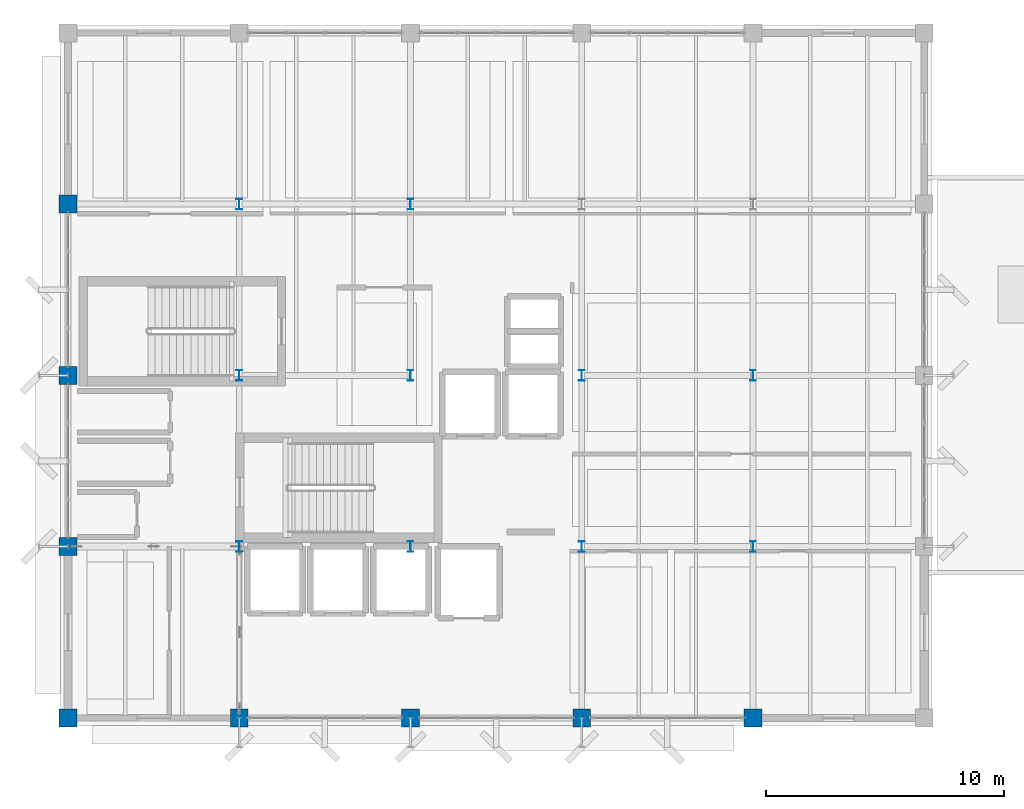
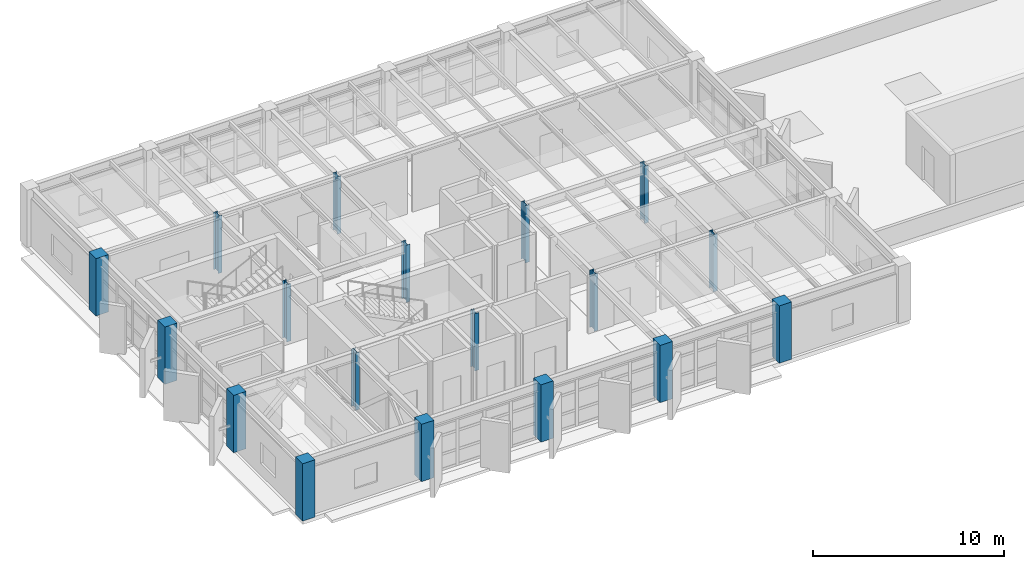
# One storey, part 1 of 32: 18 columns.
"""IFC4 building model written with IfcOpenShell, lengths in metres."""

from ifc_helpers import new_model, si_unit, direction, frame, origin, origin_2d, place, context, subcontext, project, spatial, rectangle, i_section, extrude, material, material_profile, profile_set, type_object, element, save


model = new_model("IFC4")

# Units and contexts
model_context = context("Model", 3, precision=1e-05, world=origin(), true_north=direction((0.0, 1.0)))
body_context = subcontext(model_context, "Body", "Model", "MODEL_VIEW")
ifc_project = project(units=[si_unit("LENGTHUNIT", "METRE"), si_unit("AREAUNIT", "SQUARE_METRE"), si_unit("VOLUMEUNIT", "CUBIC_METRE"), si_unit("PLANEANGLEUNIT", "RADIAN"), si_unit("MASSUNIT", "GRAM", prefix="KILO")], contexts=[model_context])

# Site, building, storey
site_placement = place(None, origin())
site = spatial("IfcSite", under=ifc_project, at=site_placement, CompositionType="ELEMENT")
building_placement = place(site_placement, origin())
building = spatial("IfcBuilding", under=site, at=building_placement, Name="Kandorven Conservatory and Botanical Research Centre", CompositionType="ELEMENT")
storey_placement = place(building_placement, frame((0.0, 0.0, 17.10009765625)))
storey = spatial("IfcBuildingStorey", under=building, at=storey_placement, Name="L04", CompositionType="ELEMENT", Elevation=17.10009765625)

# Columns
ifc_material_1 = material(Name="Steel S355 (IS 2062 E350)", Category="steel")
ifc_material_profile_1 = material_profile(ifc_material_1, i_section(OverallWidth=0.25, OverallDepth=0.449951171875, WebThickness=0.01123046875, FlangeThickness=0.013671875, at=origin_2d()))
ifc_profile_set_1 = profile_set([ifc_material_profile_1], Name="Steel S355 (IS 2062 E350)")
column_type_1 = type_object("IfcColumnType", Name="Col_SC-01", PredefinedType="COLUMN", material=ifc_profile_set_1)
for number, where, z_axis, x_axis, name in (
    (1, (13.199951171875, 13.199951171875, 0.0), (0.0, 0.0, 1.0), (1.0, 0.0, 0.0), "Column SC-01 TWR L04 (2,2)"),
    (2, (13.199951171875, 20.39990234375, 0.0), (0.0, 0.0, 1.0), (1.0, 0.0, 0.0), "Column SC-01 TWR L04 (2,3)"),
    (3, (13.199951171875, 27.60009765625, 0.0), (0.0, 0.0, 1.0), (1.0, 0.0, 0.0), "Column SC-01 TWR L04 (2,4)"),
    (4, (20.39990234375, 13.199951171875, 0.0), (0.0, 0.0, 1.0), (1.0, 0.0, 0.0), "Column SC-01 TWR L04 (3,2)"),
    (5, (20.39990234375, 20.39990234375, 0.0), (0.0, 0.0, 1.0), (1.0, 0.0, 0.0), "Column SC-01 TWR L04 (3,3)"),
    (6, (20.39990234375, 27.60009765625, 0.0), (0.0, 0.0, 1.0), (1.0, 0.0, 0.0), "Column SC-01 TWR L04 (3,4)"),
    (7, (27.60009765625, 13.199951171875, 0.0), (0.0, 0.0, 1.0), (1.0, 0.0, 0.0), "Column SC-01 TWR L04 (4,2)"),
    (8, (27.60009765625, 20.39990234375, 0.0), (0.0, 0.0, 1.0), (1.0, 0.0, 0.0), "Column SC-01 TWR L04 (4,3)"),
    (9, (34.800048828125, 13.199951171875, 0.0), (0.0, 0.0, 1.0), (1.0, 0.0, 0.0), "Column SC-01 TWR L04 (5,2)"),
    (10, (34.800048828125, 20.39990234375, 0.0), (0.0, 0.0, 1.0), (1.0, 0.0, 0.0), "Column SC-01 TWR L04 (5,3)"),
):
    element("IfcColumn", number, at=place(storey_placement, frame(where, z_axis=z_axis, x_axis=x_axis)), inside=storey, type_object=column_type_1, Name=name, PredefinedType="COLUMN", context=body_context, shape_type="SweptSolid", body=[
        extrude(i_section(OverallWidth=0.25, OverallDepth=0.449951171875, WebThickness=0.01123046875, FlangeThickness=0.013671875, at=origin_2d()), origin(), (0.0, 0.0, 1.0), 3.659912109375),
    ])
ifc_material_2 = material(Name="Concrete C40/50 (M50)", Category="concrete")
ifc_material_profile_2 = material_profile(ifc_material_2, rectangle(XDim=0.75, YDim=0.75, at=origin_2d()))
ifc_profile_set_2 = profile_set([ifc_material_profile_2], Name="Concrete C40/50 (M50)")
column_type_2 = type_object("IfcColumnType", Name="Col_TC-03", PredefinedType="COLUMN", material=ifc_profile_set_2)
for number, where, z_axis, x_axis, name in (
    (11, (6.0, 6.0, 0.0), (0.0, 0.0, 1.0), (1.0, 0.0, 0.0), "Column TC-03 TWR L04 (1,1)"),
    (12, (6.0, 13.199951171875, 0.0), (0.0, 0.0, 1.0), (1.0, 0.0, 0.0), "Column TC-03 TWR L04 (1,2)"),
    (13, (6.0, 20.39990234375, 0.0), (0.0, 0.0, 1.0), (1.0, 0.0, 0.0), "Column TC-03 TWR L04 (1,3)"),
    (14, (6.0, 27.60009765625, 0.0), (0.0, 0.0, 1.0), (1.0, 0.0, 0.0), "Column TC-03 TWR L04 (1,4)"),
    (15, (13.199951171875, 6.0, 0.0), (0.0, 0.0, 1.0), (1.0, 0.0, 0.0), "Column TC-03 TWR L04 (2,1)"),
    (16, (20.39990234375, 6.0, 0.0), (0.0, 0.0, 1.0), (1.0, 0.0, 0.0), "Column TC-03 TWR L04 (3,1)"),
    (17, (27.60009765625, 6.0, 0.0), (0.0, 0.0, 1.0), (1.0, 0.0, 0.0), "Column TC-03 TWR L04 (4,1)"),
    (18, (34.800048828125, 6.0, 0.0), (0.0, 0.0, 1.0), (1.0, 0.0, 0.0), "Column TC-03 TWR L04 (5,1)"),
):
    element("IfcColumn", number, at=place(storey_placement, frame(where, z_axis=z_axis, x_axis=x_axis)), inside=storey, type_object=column_type_2, Name=name, PredefinedType="COLUMN", context=body_context, shape_type="SweptSolid", body=[
        extrude(rectangle(XDim=0.75, YDim=0.75, at=origin_2d()), origin(), (0.0, 0.0, 1.0), 3.659912109375),
    ])

save(model, "model.ifc")
